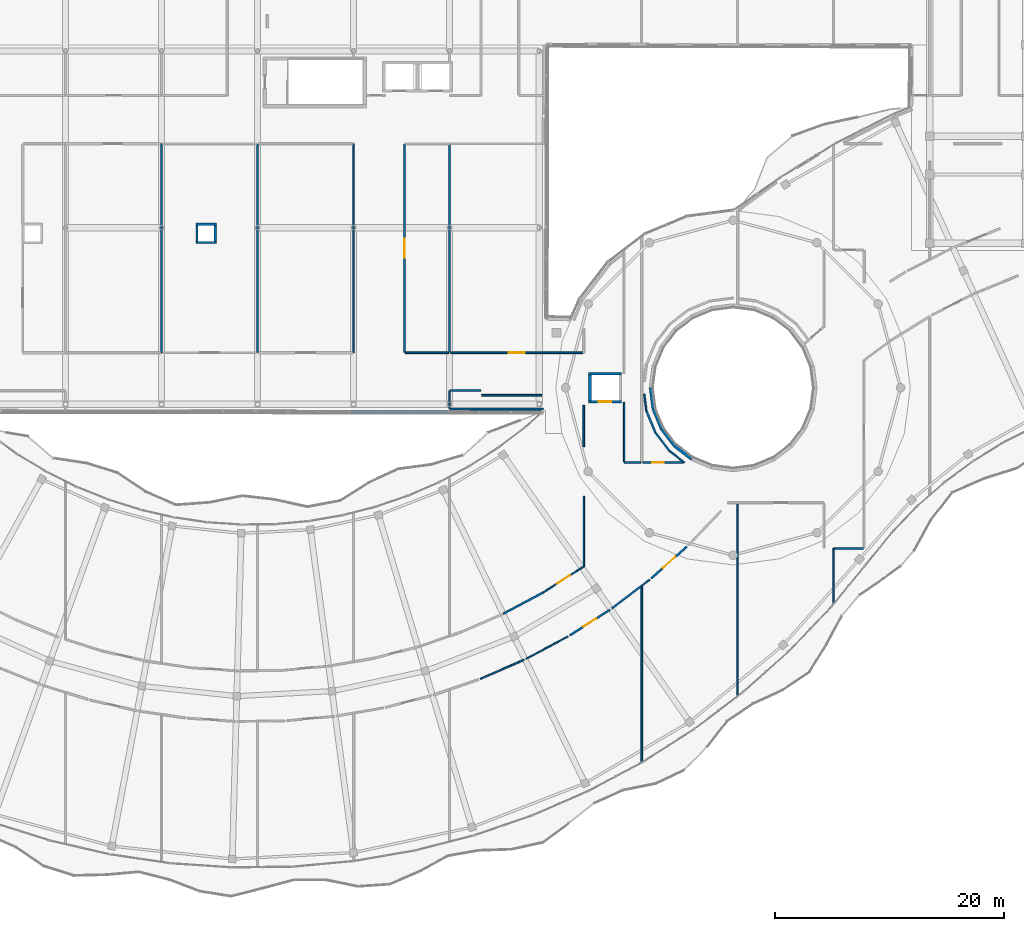
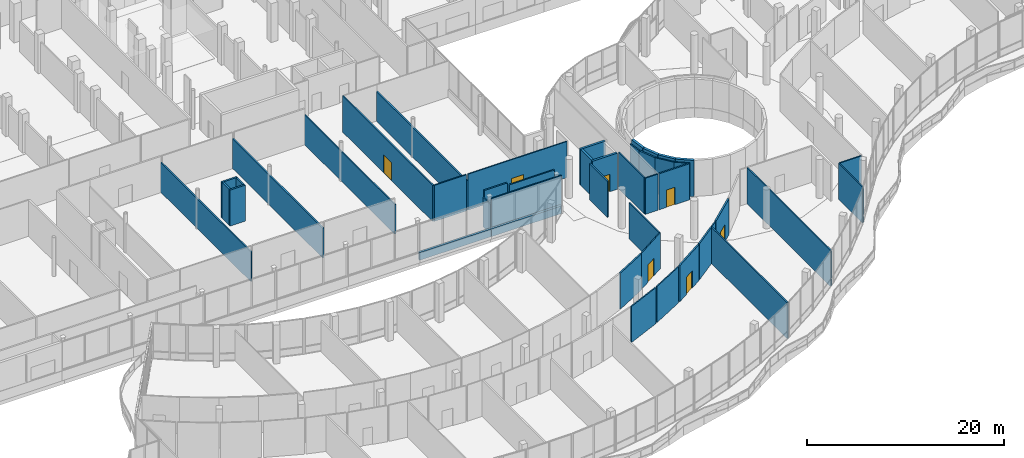
# One storey, part 131 of 155: 45 walls, 7 doors, 7 openings.
"""IFC4 building model written with IfcOpenShell, lengths in metres."""

from ifc_helpers import new_model, si_unit, direction, frame, frame_2d, origin, place, context, subcontext, project, spatial, rectangle, extrude, material, layer, layer_set, type_object, element, fill, save


model = new_model("IFC4")

# Units and contexts
model_context = context("Model", 3, precision=1e-05, world=origin(), true_north=direction((0.0, 1.0)))
body_context = subcontext(model_context, "Body", "Model", "MODEL_VIEW")
ifc_project = project(units=[si_unit("LENGTHUNIT", "METRE"), si_unit("AREAUNIT", "SQUARE_METRE"), si_unit("VOLUMEUNIT", "CUBIC_METRE"), si_unit("PLANEANGLEUNIT", "RADIAN"), si_unit("MASSUNIT", "GRAM", prefix="KILO")], contexts=[model_context])

# Site, building, storey
site_placement = place(None, origin())
site = spatial("IfcSite", under=ifc_project, at=site_placement, CompositionType="ELEMENT")
building_placement = place(site_placement, origin())
building = spatial("IfcBuilding", under=site, at=building_placement, Name="Selatvlak General Hospital", CompositionType="ELEMENT")
storey_placement = place(building_placement, frame((0.0, 0.0, 10.199951171875)))
storey = spatial("IfcBuildingStorey", under=building, at=storey_placement, Name="L02", CompositionType="ELEMENT", Elevation=10.199951171875)

# Walls
ifc_material_1 = material(Name="Precast concrete C40/50 - white fair-faced", Category="concrete")
ifc_layer_1 = layer(ifc_material_1, 0.300048828125, Name="Precast concrete C40/50 - white fair-faced", Category="concrete")
ifc_layer_set_1 = layer_set([ifc_layer_1], Name="Precast concrete C40/50 - white fair-faced")
wall_type_1 = type_object("IfcWallType", Name="WALL-EW-01", PredefinedType="SOLIDWALL", material=ifc_layer_set_1)
wall_1_placement = place(storey_placement, frame((90.801025390625, 54.008056640625, 0.0), z_axis=(0.0, 0.0, 1.0), x_axis=(0.129294741965, -0.991606206969, 0.0)))
element("IfcWall", 1, at=wall_1_placement, inside=storey, type_object=wall_type_1, Name="L02 exterior wall 0342", PredefinedType="SOLIDWALL", context=body_context, shape_type="SweptSolid", body=[
    extrude(rectangle(XDim=1.87890625, YDim=0.300048828125, at=frame_2d((0.939453125, 0.0))), origin(), (0.0, 0.0, 1.0), 4.4599609375),
])
wall_2_placement = place(storey_placement, frame((91.0439453125, 52.14501953125, 0.0), z_axis=(0.0, 0.0, 1.0), x_axis=(0.381820428435, -0.924236528401, 0.0)))
element("IfcWall", 2, at=wall_2_placement, inside=storey, type_object=wall_type_1, Name="L02 exterior wall 0343", PredefinedType="SOLIDWALL", context=body_context, shape_type="SweptSolid", body=[
    extrude(rectangle(XDim=1.880615234375, YDim=0.300048828125, at=frame_2d((0.9404296875, 0.0))), origin(), (0.0, 0.0, 1.0), 4.4599609375),
])
wall_3_placement = place(storey_placement, frame((91.761962890625, 50.406982421875, 0.0), z_axis=(0.0, 0.0, 1.0), x_axis=(0.607850341861, -0.79405161161, 0.0)))
element("IfcWall", 3, at=wall_3_placement, inside=storey, type_object=wall_type_1, Name="L02 exterior wall 0344", PredefinedType="SOLIDWALL", context=body_context, shape_type="SweptSolid", body=[
    extrude(rectangle(XDim=1.87890625, YDim=0.300048828125, at=frame_2d((0.939453125, 0.0))), origin(), (0.0, 0.0, 1.0), 4.4599609375),
])
wall_4_placement = place(storey_placement, frame((92.904052734375, 48.9150390625, 0.0), z_axis=(0.0, 0.0, 1.0), x_axis=(0.792913688324, -0.609333966613, 0.0)))
element("IfcWall", 4, at=wall_4_placement, inside=storey, type_object=wall_type_1, Name="L02 exterior wall 0345", PredefinedType="SOLIDWALL", context=body_context, shape_type="SweptSolid", body=[
    extrude(rectangle(XDim=1.879150390625, YDim=0.300048828125, at=frame_2d((0.939453125, 0.0))), origin(), (0.0, 0.0, 1.0), 4.4599609375),
])
ifc_material_2 = material(Name="Precast concrete C40/50 - white Bauhaus spandrel", Category="concrete")
ifc_layer_2 = layer(ifc_material_2, 0.280029296875, Name="Precast concrete C40/50 - white Bauhaus spandrel", Category="concrete")
ifc_layer_set_2 = layer_set([ifc_layer_2], Name="Precast concrete C40/50 - white Bauhaus spandrel")
wall_type_2 = type_object("IfcWallType", Name="WALL-EW-02", PredefinedType="SOLIDWALL", material=ifc_layer_set_2)
wall_5_placement = place(storey_placement, frame((81.201904296875, 51.89501953125, 0.0), z_axis=(0.0, 0.0, 1.0), x_axis=(-0.999998358775, 0.001811752647, 0.0)))
element("IfcWall", 5, at=wall_5_placement, inside=storey, type_object=wall_type_2, Name="L02 Bauhaus spandrel sill wall 0316", PredefinedType="SOLIDWALL", context=body_context, shape_type="SweptSolid", body=[
    extrude(rectangle(XDim=8.219970703125, YDim=0.280029296875, at=frame_2d((4.10986328125, 0.0))), origin(), (0.0, 0.0, 1.0), 0.93994140625),
])
wall_6_placement = place(storey_placement, frame((72.97802734375, 51.909912109375, 0.0), z_axis=(0.0, 0.0, 1.0), x_axis=(-0.999998360026, 0.001811062053, 0.0)))
element("IfcWall", 6, at=wall_6_placement, inside=storey, type_object=wall_type_2, Name="L02 Bauhaus spandrel sill wall 0317", PredefinedType="SOLIDWALL", context=body_context, shape_type="SweptSolid", body=[
    extrude(rectangle(XDim=8.35791015625, YDim=0.280029296875, at=frame_2d((4.178955078125, 0.0))), origin(), (0.0, 0.0, 1.0), 0.93994140625),
])
ifc_material_3 = material(Name="Concrete C40/50", Category="concrete")
ifc_layer_3 = layer(ifc_material_3, 0.199951171875, Name="Concrete C40/50", Category="concrete")
ifc_layer_set_3 = layer_set([ifc_layer_3], Name="Concrete C40/50")
wall_type_3 = type_object("IfcWallType", Name="WALL-IW-02", PredefinedType="SOLIDWALL", material=ifc_layer_set_3)
wall_7_placement = place(storey_placement, frame((51.0, 66.699951171875, 0.0), z_axis=(0.0, 0.0, 1.0), x_axis=(1.0, 0.0, 0.0)))
element("IfcWall", 7, at=wall_7_placement, inside=storey, type_object=wall_type_3, Name="Service riser 3 shaft wall L02 S", PredefinedType="SOLIDWALL", context=body_context, shape_type="SweptSolid", body=[
    extrude(rectangle(XDim=1.800048828125, YDim=0.199951171875, at=frame_2d((0.89990234375, 0.0))), origin(), (0.0, 0.0, 1.0), 4.4599609375),
])
wall_8_placement = place(storey_placement, frame((52.699951171875, 66.800048828125, 0.0), z_axis=(0.0, 0.0, 1.0), x_axis=(0.0, 1.0, 0.0)))
element("IfcWall", 8, at=wall_8_placement, inside=storey, type_object=wall_type_3, Name="Service riser 3 shaft wall L02 E", PredefinedType="SOLIDWALL", context=body_context, shape_type="SweptSolid", body=[
    extrude(rectangle(XDim=1.39990234375, YDim=0.199951171875, at=frame_2d((0.699951171875, 0.0))), origin(), (0.0, 0.0, 1.0), 4.4599609375),
])
wall_9_placement = place(storey_placement, frame((52.800048828125, 68.300048828125, 0.0), z_axis=(0.0, 0.0, 1.0), x_axis=(-1.0, 0.0, 0.0)))
element("IfcWall", 9, at=wall_9_placement, inside=storey, type_object=wall_type_3, Name="Service riser 3 shaft wall L02 N", PredefinedType="SOLIDWALL", context=body_context, shape_type="SweptSolid", body=[
    extrude(rectangle(XDim=1.800048828125, YDim=0.199951171875, at=frame_2d((0.89990234375, 0.0))), origin(), (0.0, 0.0, 1.0), 4.4599609375),
])
wall_10_placement = place(storey_placement, frame((51.10009765625, 68.199951171875, 0.0), z_axis=(0.0, 0.0, 1.0), x_axis=(0.0, -1.0, 0.0)))
element("IfcWall", 10, at=wall_10_placement, inside=storey, type_object=wall_type_3, Name="Service riser 3 shaft wall L02 W", PredefinedType="SOLIDWALL", context=body_context, shape_type="SweptSolid", body=[
    extrude(rectangle(XDim=1.39990234375, YDim=0.199951171875, at=frame_2d((0.699951171875, 0.0))), origin(), (0.0, 0.0, 1.0), 4.4599609375),
])
ifc_material_4 = material(Name="Acoustic gypsum stud partition")
ifc_layer_4 = layer(ifc_material_4, 0.179931640625, Name="Acoustic gypsum stud partition")
ifc_layer_set_4 = layer_set([ifc_layer_4], Name="Acoustic gypsum stud partition")
wall_type_4 = type_object("IfcWallType", Name="WALL-PT-01", PredefinedType="PARTITIONING", material=ifc_layer_set_4)
wall_11_placement = place(storey_placement, frame((56.39990234375, 75.340087890625, 0.0), z_axis=(0.0, 0.0, 1.0), x_axis=(0.0, -1.0, 0.0)))
element("IfcWall", 11, at=wall_11_placement, inside=storey, type_object=wall_type_4, Name="L02 clinical partition PT-L02-1095", PredefinedType="PARTITIONING", context=body_context, shape_type="SweptSolid", body=[
    extrude(rectangle(XDim=18.280029296875, YDim=0.179931640625, at=frame_2d((9.14013671875, 0.0))), origin(), (0.0, 0.0, 1.0), 3.6650390625),
])
wall_12_placement = place(storey_placement, frame((73.199951171875, 75.27587890625, 0.0), z_axis=(0.0, 0.0, 1.0), x_axis=(0.0, -1.0, 0.0)))
element("IfcWall", 12, at=wall_12_placement, inside=storey, type_object=wall_type_4, Name="L02 clinical partition PT-L02-1119", PredefinedType="PARTITIONING", context=body_context, shape_type="SweptSolid", body=[
    extrude(rectangle(XDim=18.2158203125, YDim=0.179931640625, at=frame_2d((9.10791015625, 0.0))), origin(), (0.0, 0.0, 1.0), 3.6650390625),
])

# Wall, opening, door
wall_13_placement = place(storey_placement, frame((83.716064453125, 32.3330078125, 0.0), z_axis=(0.0, 0.0, 1.0), x_axis=(0.842288395676, 0.539027140792, 0.0)))
wall_13 = element("IfcWall", 13, at=wall_13_placement, inside=storey, type_object=wall_type_4, Name="L02 clinical partition PT-L02-1125", PredefinedType="PARTITIONING", context=body_context, shape_type="SweptSolid", body=[
    extrude(rectangle(XDim=4.174072265625, YDim=0.179931640625, at=frame_2d((2.0869140625, 0.0))), origin(), (0.0, 0.0, 1.0), 4.4599609375),
])
opening_1_placement = place(wall_13_placement, frame((1.43701171875, 0.0, 0.0)))
opening_1 = element("IfcOpeningElement", 14, at=opening_1_placement, cuts=wall_13, Name="Opening D-09", PredefinedType="OPENING", context=body_context, shape_type="SweptSolid", body=[
    extrude(rectangle(XDim=1.300048828125, YDim=2.14990234375, at=frame_2d((0.64990234375, 1.074951171875))), frame((0.0, 0.099853515625, 0.0), z_axis=(0.0, -1.0, 0.0), x_axis=(1.0, 0.0, 0.0)), (0.0, 0.0, 1.0), 0.199951171875),
])
ifc_material_5 = material(Name="Outpatient procedure door")
door_type_1 = type_object("IfcDoorType", Name="DOOR-D-09", OperationType="NOTDEFINED", PredefinedType="DOOR", material=ifc_material_5)
door_1_placement = place(opening_1_placement, origin())
door_1 = element("IfcDoor", 15, at=door_1_placement, inside=storey, type_object=door_type_1, Name="L02 Physiotherapy Rehabilitation Gymnasium 19 door", OperationType="SINGLE_SWING_LEFT", OverallHeight=2.14990234375, OverallWidth=1.300048828125, PredefinedType="DOOR", context=body_context, shape_type="SweptSolid", body=[
    extrude(rectangle(XDim=1.300048828125, YDim=2.14990234375, at=frame_2d((0.64990234375, 1.074951171875))), frame((0.0, 0.02490234375, 0.0), z_axis=(0.0, -1.0, 0.0), x_axis=(1.0, 0.0, 0.0)), (0.0, 0.0, 1.0), 0.050048828125),
])
fill(opening_1, door_1)

# Walls
wall_14_placement = place(storey_placement, frame((73.256103515625, 53.739990234375, 0.0), z_axis=(0.0, 0.0, 1.0), x_axis=(1.0, 0.0, 0.0)))
element("IfcWall", 16, at=wall_14_placement, inside=storey, type_object=wall_type_4, Name="L02 clinical partition PT-L02-1130", PredefinedType="PARTITIONING", context=body_context, shape_type="SweptSolid", body=[
    extrude(rectangle(XDim=2.683837890625, YDim=0.179931640625, at=frame_2d((1.341796875, 0.0))), origin(), (0.0, 0.0, 1.0), 4.4599609375),
])
wall_15_placement = place(storey_placement, frame((81.407958984375, 36.10302734375, 0.0), z_axis=(0.0, 0.0, 1.0), x_axis=(-0.882361389747, -0.470572393882, 0.0)))
element("IfcWall", 17, at=wall_15_placement, inside=storey, type_object=wall_type_4, Name="L02 clinical partition PT-L02-1135", PredefinedType="PARTITIONING", context=body_context, shape_type="SweptSolid", body=[
    extrude(rectangle(XDim=3.99951171875, YDim=0.179931640625, at=frame_2d((1.999755859375, 0.0))), origin(), (0.0, 0.0, 1.0), 4.4599609375),
])

# Wall, opening, door
wall_16_placement = place(storey_placement, frame((90.8369140625, 37.318115234375, 0.0), z_axis=(0.0, 0.0, 1.0), x_axis=(0.746227117169, 0.66569143723, 0.0)))
wall_16 = element("IfcWall", 18, at=wall_16_placement, inside=storey, type_object=wall_type_4, Name="L02 clinical partition PT-L02-1150", PredefinedType="PARTITIONING", context=body_context, shape_type="SweptSolid", body=[
    extrude(rectangle(XDim=4.17431640625, YDim=0.179931640625, at=frame_2d((2.087158203125, 0.0))), origin(), (0.0, 0.0, 1.0), 4.4599609375),
])
opening_2_placement = place(wall_16_placement, frame((1.362060546875, 0.0, 0.0)))
opening_2 = element("IfcOpeningElement", 19, at=opening_2_placement, cuts=wall_16, Name="Opening D-12", PredefinedType="OPENING", context=body_context, shape_type="SweptSolid", body=[
    extrude(rectangle(XDim=1.449951171875, YDim=2.14990234375, at=frame_2d((0.72509765625, 1.074951171875))), frame((0.0, 0.099853515625, 0.0), z_axis=(0.0, -1.0, 0.0), x_axis=(1.0, 0.0, 0.0)), (0.0, 0.0, 1.0), 0.199951171875),
])
ifc_material_6 = material(Name="Isolation anteroom door")
door_type_2 = type_object("IfcDoorType", Name="DOOR-D-12", OperationType="NOTDEFINED", PredefinedType="DOOR", material=ifc_material_6)
door_2_placement = place(opening_2_placement, origin())
door_2 = element("IfcDoor", 20, at=door_2_placement, inside=storey, type_object=door_type_2, Name="L02 Physiotherapy Rehabilitation Gymnasium 22 door", OperationType="SINGLE_SWING_RIGHT", OverallHeight=2.14990234375, OverallWidth=1.449951171875, PredefinedType="DOOR", context=body_context, shape_type="SweptSolid", body=[
    extrude(rectangle(XDim=1.449951171875, YDim=2.14990234375, at=frame_2d((0.72509765625, 1.074951171875))), frame((0.0, 0.02490234375, 0.0), z_axis=(0.0, -1.0, 0.0), x_axis=(1.0, 0.0, 0.0)), (0.0, 0.0, 1.0), 0.050048828125),
])
fill(opening_2, door_2)

# Wall
wall_17_placement = place(storey_placement, frame((90.4169921875, 51.968017578125, 0.0), z_axis=(0.0, 0.0, 1.0), x_axis=(0.383007584532, -0.923745197655, 0.0)))
element("IfcWall", 21, at=wall_17_placement, inside=storey, type_object=wall_type_4, Name="L02 clinical partition PT-L02-1161", PredefinedType="PARTITIONING", context=body_context, shape_type="SweptSolid", body=[
    extrude(rectangle(XDim=2.04931640625, YDim=0.179931640625, at=frame_2d((1.024658203125, 0.0))), origin(), (0.0, 0.0, 1.0), 4.4599609375),
])

# Wall, opening, door
wall_18_placement = place(storey_placement, frame((93.634033203125, 47.4599609375, 0.0), z_axis=(0.0, 0.0, 1.0), x_axis=(-1.0, 0.0, 0.0)))
wall_18 = element("IfcWall", 22, at=wall_18_placement, inside=storey, type_object=wall_type_4, Name="L02 clinical partition PT-L02-1164", PredefinedType="PARTITIONING", context=body_context, shape_type="SweptSolid", body=[
    extrude(rectangle(XDim=3.554931640625, YDim=0.179931640625, at=frame_2d((1.77734375, 0.0))), origin(), (0.0, 0.0, 1.0), 4.4599609375),
])
opening_3_placement = place(wall_18_placement, frame((1.7041015625, 0.0, 0.0)))
opening_3 = element("IfcOpeningElement", 23, at=opening_3_placement, cuts=wall_18, Name="Opening D-21", PredefinedType="OPENING", context=body_context, shape_type="SweptSolid", body=[
    extrude(rectangle(XDim=1.0, YDim=2.14990234375, at=frame_2d((0.5, 1.074951171875))), frame((0.0, 0.099853515625, 0.0), z_axis=(0.0, -1.0, 0.0), x_axis=(1.0, 0.0, 0.0)), (0.0, 0.0, 1.0), 0.199951171875),
])
ifc_material_7 = material(Name="Laboratory fire door")
door_type_3 = type_object("IfcDoorType", Name="DOOR-D-21", OperationType="NOTDEFINED", PredefinedType="DOOR", material=ifc_material_7)
door_3_placement = place(opening_3_placement, origin())
door_3 = element("IfcDoor", 24, at=door_3_placement, inside=storey, type_object=door_type_3, Name="L02 Operating Theatre 23 door", OperationType="SINGLE_SWING_LEFT", OverallHeight=2.14990234375, OverallWidth=1.0, PredefinedType="DOOR", context=body_context, shape_type="SweptSolid", body=[
    extrude(rectangle(XDim=1.0, YDim=2.14990234375, at=frame_2d((0.5, 1.074951171875))), frame((0.0, 0.02490234375, 0.0), z_axis=(0.0, -1.0, 0.0), x_axis=(1.0, 0.0, 0.0)), (0.0, 0.0, 1.0), 0.050048828125),
])
fill(opening_3, door_3)

# Wall
ifc_layer_5 = layer(ifc_material_4, 0.1650390625, Name="Acoustic gypsum stud partition")
ifc_layer_set_5 = layer_set([ifc_layer_5], Name="Acoustic gypsum stud partition")
wall_type_5 = type_object("IfcWallType", Name="WALL-PT-02", PredefinedType="PARTITIONING", material=ifc_layer_set_5)
wall_19_placement = place(storey_placement, frame((48.0, 75.340087890625, 0.0), z_axis=(0.0, 0.0, 1.0), x_axis=(0.0, -1.0, 0.0)))
element("IfcWall", 25, at=wall_19_placement, inside=storey, type_object=wall_type_5, Name="L02 clinical partition PT-L02-1084", PredefinedType="PARTITIONING", context=body_context, shape_type="SweptSolid", body=[
    extrude(rectangle(XDim=18.280029296875, YDim=0.1650390625, at=frame_2d((9.14013671875, 0.0))), origin(), (0.0, 0.0, 1.0), 3.6650390625),
])

# Wall, opening, door
wall_20_placement = place(storey_placement, frame((69.260009765625, 57.06005859375, 0.0), z_axis=(0.0, 0.0, 1.0), x_axis=(0.0, 1.0, 0.0)))
wall_20 = element("IfcWall", 26, at=wall_20_placement, inside=storey, type_object=wall_type_5, Name="L02 clinical partition PT-L02-1117", PredefinedType="PARTITIONING", context=body_context, shape_type="SweptSolid", body=[
    extrude(rectangle(XDim=18.280029296875, YDim=0.1650390625, at=frame_2d((9.14013671875, 0.0))), origin(), (0.0, 0.0, 1.0), 4.4599609375),
])
opening_4_placement = place(wall_20_placement, frame((8.31494140625, 0.0, 0.0)))
opening_4 = element("IfcOpeningElement", 27, at=opening_4_placement, cuts=wall_20, Name="Opening D-19", PredefinedType="OPENING", context=body_context, shape_type="SweptSolid", body=[
    extrude(rectangle(XDim=1.64990234375, YDim=2.199951171875, at=frame_2d((0.824951171875, 1.10009765625))), frame((0.0, 0.092529296875, 0.0), z_axis=(0.0, -1.0, 0.0), x_axis=(1.0, 0.0, 0.0)), (0.0, 0.0, 1.0), 0.18505859375),
])
ifc_material_8 = material(Name="Hermetic operating theatre sliding door")
door_type_4 = type_object("IfcDoorType", Name="DOOR-D-19", OperationType="DOUBLE_DOOR_SLIDING", PredefinedType="DOOR", material=ifc_material_8)
door_4_placement = place(opening_4_placement, origin())
door_4 = element("IfcDoor", 28, at=door_4_placement, inside=storey, type_object=door_type_4, Name="L02 Operating Theatre 17 door", OperationType="DOUBLE_DOOR_SLIDING", OverallHeight=2.199951171875, OverallWidth=1.64990234375, PredefinedType="DOOR", context=body_context, shape_type="SweptSolid", body=[
    extrude(rectangle(XDim=1.64990234375, YDim=2.199951171875, at=frame_2d((0.824951171875, 1.10009765625))), frame((0.0, 0.02490234375, 0.0), z_axis=(0.0, -1.0, 0.0), x_axis=(1.0, 0.0, 0.0)), (0.0, 0.0, 1.0), 0.050048828125),
])
fill(opening_4, door_4)

# Walls
wall_21_placement = place(storey_placement, frame((73.114013671875, 57.06005859375, 0.0), z_axis=(0.0, 0.0, 1.0), x_axis=(-1.0, 0.0, 0.0)))
element("IfcWall", 29, at=wall_21_placement, inside=storey, type_object=wall_type_5, Name="L02 clinical partition PT-L02-1120", PredefinedType="PARTITIONING", context=body_context, shape_type="SweptSolid", body=[
    extrude(rectangle(XDim=3.77490234375, YDim=0.1650390625, at=frame_2d((1.887451171875, 0.0))), origin(), (0.0, 0.0, 1.0), 4.4599609375),
])
wall_22_placement = place(storey_placement, frame((87.376953125, 34.68310546875, 0.0), z_axis=(0.0, 0.0, 1.0), x_axis=(0.796534911727, 0.604592535846, 0.0)))
element("IfcWall", 30, at=wall_22_placement, inside=storey, type_object=wall_type_5, Name="L02 clinical partition PT-L02-1126", PredefinedType="PARTITIONING", context=body_context, shape_type="SweptSolid", body=[
    extrude(rectangle(XDim=3.29296875, YDim=0.1650390625, at=frame_2d((1.646484375, 0.0))), origin(), (0.0, 0.0, 1.0), 4.4599609375),
])
wall_23_placement = place(storey_placement, frame((76.0, 53.340087890625, 0.0), z_axis=(0.0, 0.0, 1.0), x_axis=(1.0, 0.0, 0.0)))
element("IfcWall", 31, at=wall_23_placement, inside=storey, type_object=wall_type_5, Name="L02 clinical partition PT-L02-1131", PredefinedType="PARTITIONING", context=body_context, shape_type="SweptSolid", body=[
    extrude(rectangle(XDim=5.241943359375, YDim=0.1650390625, at=frame_2d((2.62109375, 0.0))), origin(), (0.0, 0.0, 1.0), 4.4599609375),
])
wall_24_placement = place(storey_placement, frame((91.201904296875, 50.074951171875, 0.0), z_axis=(0.0, 0.0, 1.0), x_axis=(0.608581607729, -0.793491289639, 0.0)))
element("IfcWall", 32, at=wall_24_placement, inside=storey, type_object=wall_type_5, Name="L02 clinical partition PT-L02-1162", PredefinedType="PARTITIONING", context=body_context, shape_type="SweptSolid", body=[
    extrude(rectangle(XDim=2.049072265625, YDim=0.1650390625, at=frame_2d((1.0244140625, 0.0))), origin(), (0.0, 0.0, 1.0), 4.4599609375),
])
ifc_layer_6 = layer(ifc_material_4, 0.14990234375, Name="Acoustic gypsum stud partition")
ifc_layer_set_6 = layer_set([ifc_layer_6], Name="Acoustic gypsum stud partition")
wall_type_6 = type_object("IfcWallType", Name="WALL-PT-03", PredefinedType="PARTITIONING", material=ifc_layer_set_6)
wall_25_placement = place(storey_placement, frame((90.0, 36.574951171875, 0.0), z_axis=(0.0, 0.0, 1.0), x_axis=(0.0, -1.0, 0.0)))
element("IfcWall", 33, at=wall_25_placement, inside=storey, type_object=wall_type_6, Name="L02 clinical partition PT-L02-1127", PredefinedType="PARTITIONING", context=body_context, shape_type="SweptSolid", body=[
    extrude(rectangle(XDim=15.368896484375, YDim=0.14990234375, at=frame_2d((7.6845703125, 0.0))), origin(), (0.0, 0.0, 1.0), 4.4599609375),
])
wall_26_placement = place(storey_placement, frame((84.93994140625, 52.467041015625, 0.0), z_axis=(0.0, 0.0, 1.0), x_axis=(0.0, -1.0, 0.0)))
element("IfcWall", 34, at=wall_26_placement, inside=storey, type_object=wall_type_6, Name="L02 clinical partition PT-L02-1132", PredefinedType="PARTITIONING", context=body_context, shape_type="SweptSolid", body=[
    extrude(rectangle(XDim=3.615966796875, YDim=0.14990234375, at=frame_2d((1.80810546875, 0.0))), origin(), (0.0, 0.0, 1.0), 4.4599609375),
])
wall_27_placement = place(storey_placement, frame((89.9208984375, 47.4599609375, 0.0), z_axis=(0.0, 0.0, 1.0), x_axis=(-1.0, 0.0, 0.0)))
element("IfcWall", 35, at=wall_27_placement, inside=storey, type_object=wall_type_6, Name="L02 clinical partition PT-L02-1147", PredefinedType="PARTITIONING", context=body_context, shape_type="SweptSolid", body=[
    extrude(rectangle(XDim=1.4609375, YDim=0.14990234375, at=frame_2d((0.73046875, 0.0))), origin(), (0.0, 0.0, 1.0), 4.4599609375),
])
wall_28_placement = place(storey_placement, frame((106.864013671875, 39.93994140625, 0.0), z_axis=(0.0, 0.0, 1.0), x_axis=(1.0, 0.0, 0.0)))
element("IfcWall", 36, at=wall_28_placement, inside=storey, type_object=wall_type_6, Name="L02 clinical partition PT-L02-1177", PredefinedType="PARTITIONING", context=body_context, shape_type="SweptSolid", body=[
    extrude(rectangle(XDim=2.535888671875, YDim=0.14990234375, at=frame_2d((1.26806640625, 0.0))), origin(), (0.0, 0.0, 1.0), 4.4599609375),
])
ifc_material_9 = material(Name="Moisture-resistant clinical partition")
ifc_layer_7 = layer(ifc_material_9, 0.135009765625, Name="Moisture-resistant clinical partition")
ifc_layer_set_7 = layer_set([ifc_layer_7], Name="Moisture-resistant clinical partition")
wall_type_7 = type_object("IfcWallType", Name="WALL-PT-04", PredefinedType="PARTITIONING", material=ifc_layer_set_7)
wall_29_placement = place(storey_placement, frame((64.800048828125, 75.340087890625, 0.0), z_axis=(0.0, 0.0, 1.0), x_axis=(0.0, -1.0, 0.0)))
element("IfcWall", 37, at=wall_29_placement, inside=storey, type_object=wall_type_7, Name="L02 clinical partition PT-L02-1106", PredefinedType="PARTITIONING", context=body_context, shape_type="SweptSolid", body=[
    extrude(rectangle(XDim=18.280029296875, YDim=0.135009765625, at=frame_2d((9.14013671875, 0.0))), origin(), (0.0, 0.0, 1.0), 3.6650390625),
])
wall_30_placement = place(storey_placement, frame((75.89697265625, 28.5380859375, 0.0), z_axis=(0.0, 0.0, 1.0), x_axis=(0.916891425258, 0.399136711276, 0.0)))
element("IfcWall", 38, at=wall_30_placement, inside=storey, type_object=wall_type_7, Name="L02 clinical partition PT-L02-1123", PredefinedType="PARTITIONING", context=body_context, shape_type="SweptSolid", body=[
    extrude(rectangle(XDim=4.174072265625, YDim=0.135009765625, at=frame_2d((2.0869140625, 0.0))), origin(), (0.0, 0.0, 1.0), 4.4599609375),
])
wall_31_placement = place(storey_placement, frame((81.39404296875, 52.139892578125, 0.0), z_axis=(0.0, 0.0, 1.0), x_axis=(-1.0, 0.0, 0.0)))
element("IfcWall", 39, at=wall_31_placement, inside=storey, type_object=wall_type_7, Name="L02 clinical partition PT-L02-1128", PredefinedType="PARTITIONING", context=body_context, shape_type="SweptSolid", body=[
    extrude(rectangle(XDim=8.194091796875, YDim=0.135009765625, at=frame_2d((4.09716796875, 0.0))), origin(), (0.0, 0.0, 1.0), 4.4599609375),
])
wall_32_placement = place(storey_placement, frame((84.93994140625, 44.4990234375, 0.0), z_axis=(0.0, 0.0, 1.0), x_axis=(0.0, -1.0, 0.0)))
element("IfcWall", 40, at=wall_32_placement, inside=storey, type_object=wall_type_7, Name="L02 clinical partition PT-L02-1133", PredefinedType="PARTITIONING", context=body_context, shape_type="SweptSolid", body=[
    extrude(rectangle(XDim=6.115966796875, YDim=0.135009765625, at=frame_2d((3.05810546875, 0.0))), origin(), (0.0, 0.0, 1.0), 4.4599609375),
])

# Wall, opening, door
wall_33_placement = place(storey_placement, frame((84.868896484375, 57.06005859375, 0.0), z_axis=(0.0, 0.0, 1.0), x_axis=(-1.0, 0.0, 0.0)))
wall_33 = element("IfcWall", 41, at=wall_33_placement, inside=storey, type_object=wall_type_7, Name="L02 clinical partition PT-L02-1143", PredefinedType="PARTITIONING", context=body_context, shape_type="SweptSolid", body=[
    extrude(rectangle(XDim=11.5830078125, YDim=0.135009765625, at=frame_2d((5.79150390625, 0.0))), origin(), (0.0, 0.0, 1.0), 4.4599609375),
])
opening_5_placement = place(wall_33_placement, frame((5.091064453125, 0.0, 0.0)))
opening_5 = element("IfcOpeningElement", 42, at=opening_5_placement, cuts=wall_33, Name="Opening D-11", PredefinedType="OPENING", context=body_context, shape_type="SweptSolid", body=[
    extrude(rectangle(XDim=1.39990234375, YDim=2.14990234375, at=frame_2d((0.699951171875, 1.074951171875))), frame((0.0, 0.077392578125, 0.0), z_axis=(0.0, -1.0, 0.0), x_axis=(1.0, 0.0, 0.0)), (0.0, 0.0, 1.0), 0.155029296875),
])
ifc_material_10 = material(Name="Inpatient suite bed door")
door_type_5 = type_object("IfcDoorType", Name="DOOR-D-11", OperationType="NOTDEFINED", PredefinedType="DOOR", material=ifc_material_10)
door_5_placement = place(opening_5_placement, origin())
door_5 = element("IfcDoor", 43, at=door_5_placement, inside=storey, type_object=door_type_5, Name="L02 Post-Anaesthesia Recovery Suite 21 door", OperationType="SINGLE_SWING_LEFT", OverallHeight=2.14990234375, OverallWidth=1.39990234375, PredefinedType="DOOR", context=body_context, shape_type="SweptSolid", body=[
    extrude(rectangle(XDim=1.39990234375, YDim=2.14990234375, at=frame_2d((0.699951171875, 1.074951171875))), frame((0.0, 0.02490234375, 0.0), z_axis=(0.0, -1.0, 0.0), x_axis=(1.0, 0.0, 0.0)), (0.0, 0.0, 1.0), 0.050048828125),
])
fill(opening_5, door_5)

# Walls
wall_34_placement = place(storey_placement, frame((88.4599609375, 47.531005859375, 0.0), z_axis=(0.0, 0.0, 1.0), x_axis=(0.0, 1.0, 0.0)))
element("IfcWall", 44, at=wall_34_placement, inside=storey, type_object=wall_type_7, Name="L02 clinical partition PT-L02-1148", PredefinedType="PARTITIONING", context=body_context, shape_type="SweptSolid", body=[
    extrude(rectangle(XDim=5.18896484375, YDim=0.135009765625, at=frame_2d((2.594482421875, 0.0))), origin(), (0.0, 0.0, 1.0), 4.4599609375),
])
wall_35_placement = place(storey_placement, frame((98.39990234375, 43.868896484375, 0.0), z_axis=(0.0, 0.0, 1.0), x_axis=(0.0, -1.0, 0.0)))
element("IfcWall", 45, at=wall_35_placement, inside=storey, type_object=wall_type_7, Name="L02 clinical partition PT-L02-1153", PredefinedType="PARTITIONING", context=body_context, shape_type="SweptSolid", body=[
    extrude(rectangle(XDim=16.846923828125, YDim=0.135009765625, at=frame_2d((8.42333984375, 0.0))), origin(), (0.0, 0.0, 1.0), 4.4599609375),
])
wall_36_placement = place(storey_placement, frame((90.221923828125, 53.447998046875, 0.0), z_axis=(0.0, 0.0, 1.0), x_axis=(0.130674502542, -0.991425324664, 0.0)))
element("IfcWall", 46, at=wall_36_placement, inside=storey, type_object=wall_type_7, Name="L02 clinical partition PT-L02-1160", PredefinedType="PARTITIONING", context=body_context, shape_type="SweptSolid", body=[
    extrude(rectangle(XDim=1.49267578125, YDim=0.135009765625, at=frame_2d((0.746337890625, 0.0))), origin(), (0.0, 0.0, 1.0), 4.4599609375),
])
wall_37_placement = place(storey_placement, frame((92.448974609375, 48.448974609375, 0.0), z_axis=(0.0, 0.0, 1.0), x_axis=(0.793388644719, -0.60871541662, 0.0)))
element("IfcWall", 47, at=wall_37_placement, inside=storey, type_object=wall_type_7, Name="L02 clinical partition PT-L02-1163", PredefinedType="PARTITIONING", context=body_context, shape_type="SweptSolid", body=[
    extrude(rectangle(XDim=1.624755859375, YDim=0.135009765625, at=frame_2d((0.8125, 0.0))), origin(), (0.0, 0.0, 1.0), 4.4599609375),
])
wall_38_placement = place(storey_placement, frame((106.800048828125, 39.93994140625, 0.0), z_axis=(0.0, 0.0, 1.0), x_axis=(0.0, -1.0, 0.0)))
element("IfcWall", 48, at=wall_38_placement, inside=storey, type_object=wall_type_7, Name="L02 clinical partition PT-L02-1168", PredefinedType="PARTITIONING", context=body_context, shape_type="SweptSolid", body=[
    extrude(rectangle(XDim=4.85400390625, YDim=0.135009765625, at=frame_2d((2.427001953125, 0.0))), origin(), (0.0, 0.0, 1.0), 4.4599609375),
])
ifc_layer_8 = layer(ifc_material_9, 0.1201171875, Name="Moisture-resistant clinical partition")
ifc_layer_set_8 = layer_set([ifc_layer_8], Name="Moisture-resistant clinical partition")
wall_type_8 = type_object("IfcWallType", Name="WALL-PT-05", PredefinedType="PARTITIONING", material=ifc_layer_set_8)
wall_39_placement = place(storey_placement, frame((79.882080078125, 30.280029296875, 0.0), z_axis=(0.0, 0.0, 1.0), x_axis=(0.882385323431, 0.470527513535, 0.0)))
element("IfcWall", 49, at=wall_39_placement, inside=storey, type_object=wall_type_8, Name="L02 clinical partition PT-L02-1124", PredefinedType="PARTITIONING", context=body_context, shape_type="SweptSolid", body=[
    extrude(rectangle(XDim=4.173828125, YDim=0.1201171875, at=frame_2d((2.0869140625, 0.0))), origin(), (0.0, 0.0, 1.0), 4.4599609375),
])
wall_40_placement = place(storey_placement, frame((73.199951171875, 52.202880859375, 0.0), z_axis=(0.0, 0.0, 1.0), x_axis=(0.0, 1.0, 0.0)))
element("IfcWall", 50, at=wall_40_placement, inside=storey, type_object=wall_type_8, Name="L02 clinical partition PT-L02-1129", PredefinedType="PARTITIONING", context=body_context, shape_type="SweptSolid", body=[
    extrude(rectangle(XDim=1.537109375, YDim=0.1201171875, at=frame_2d((0.7685546875, 0.0))), origin(), (0.0, 0.0, 1.0), 3.6650390625),
])

# Wall, opening, door
wall_41_placement = place(storey_placement, frame((84.969970703125, 38.383056640625, 0.0), z_axis=(0.0, 0.0, 1.0), x_axis=(-0.842234705141, -0.539111028877, 0.0)))
wall_41 = element("IfcWall", 51, at=wall_41_placement, inside=storey, type_object=wall_type_8, Name="L02 clinical partition PT-L02-1134", PredefinedType="PARTITIONING", context=body_context, shape_type="SweptSolid", body=[
    extrude(rectangle(XDim=4.229248046875, YDim=0.1201171875, at=frame_2d((2.11474609375, 0.0))), origin(), (0.0, 0.0, 1.0), 4.4599609375),
])
opening_6_placement = place(wall_41_placement, frame((1.465087890625, 0.0, 0.0)))
opening_6 = element("IfcOpeningElement", 52, at=opening_6_placement, cuts=wall_41, Name="Opening D-24", PredefinedType="OPENING", context=body_context, shape_type="SweptSolid", body=[
    extrude(rectangle(XDim=1.300048828125, YDim=2.14990234375, at=frame_2d((0.64990234375, 1.074951171875))), frame((0.0, 0.070068359375, 0.0), z_axis=(0.0, -1.0, 0.0), x_axis=(1.0, 0.0, 0.0)), (0.0, 0.0, 1.0), 0.14013671875),
])
ifc_material_11 = material(Name="Oncology bay door")
door_type_6 = type_object("IfcDoorType", Name="DOOR-D-24", OperationType="NOTDEFINED", PredefinedType="DOOR", material=ifc_material_11)
door_6_placement = place(opening_6_placement, origin())
door_6 = element("IfcDoor", 53, at=door_6_placement, inside=storey, type_object=door_type_6, Name="L02 Occupational Therapy Suite 20 door", OperationType="SINGLE_SWING_RIGHT", OverallHeight=2.14990234375, OverallWidth=1.300048828125, PredefinedType="DOOR", context=body_context, shape_type="SweptSolid", body=[
    extrude(rectangle(XDim=1.300048828125, YDim=2.14990234375, at=frame_2d((0.64990234375, 1.074951171875))), frame((0.0, 0.02490234375, 0.0), z_axis=(0.0, -1.0, 0.0), x_axis=(1.0, 0.0, 0.0)), (0.0, 0.0, 1.0), 0.050048828125),
])
fill(opening_6, door_6)

# Wall
wall_42_placement = place(storey_placement, frame((90.0, 36.674072265625, 0.0), z_axis=(0.0, 0.0, 1.0), x_axis=(0.796962746225, 0.60402846053, 0.0)))
element("IfcWall", 54, at=wall_42_placement, inside=storey, type_object=wall_type_8, Name="L02 clinical partition PT-L02-1149", PredefinedType="PARTITIONING", context=body_context, shape_type="SweptSolid", body=[
    extrude(rectangle(XDim=0.880615234375, YDim=0.1201171875, at=frame_2d((0.4404296875, 0.0))), origin(), (0.0, 0.0, 1.0), 4.4599609375),
])

# Wall, opening, door
ifc_layer_9 = layer(ifc_material_3, 0.25, Name="Concrete C40/50", Category="concrete")
ifc_layer_set_9 = layer_set([ifc_layer_9], Name="Concrete C40/50")
wall_type_9 = type_object("IfcWallType", Name="WALL-SW-03", PredefinedType="SHEAR", material=ifc_layer_set_9)
wall_43_placement = place(storey_placement, frame((85.35009765625, 52.77490234375, 0.0), z_axis=(0.0, 0.0, 1.0), x_axis=(1.0, 0.0, 0.0)))
wall_43 = element("IfcWall", 55, at=wall_43_placement, inside=storey, type_object=wall_type_9, Name="Lift LP-03 shaft wall L02 S", PredefinedType="SHEAR", context=body_context, shape_type="SweptSolid", body=[
    extrude(rectangle(XDim=2.89990234375, YDim=0.25, at=frame_2d((1.449951171875, 0.0))), origin(), (0.0, 0.0, 1.0), 4.4599609375),
])
opening_7_placement = place(wall_43_placement, frame((0.89990234375, 0.0, 0.0)))
opening_7 = element("IfcOpeningElement", 56, at=opening_7_placement, cuts=wall_43, Name="Opening LD-P1", PredefinedType="OPENING", context=body_context, shape_type="SweptSolid", body=[
    extrude(rectangle(XDim=1.10009765625, YDim=2.14990234375, at=frame_2d((0.550048828125, 1.074951171875))), frame((0.0, 0.135009765625, 0.0), z_axis=(0.0, -1.0, 0.0), x_axis=(1.0, 0.0, 0.0)), (0.0, 0.0, 1.0), 0.27001953125),
])
ifc_material_12 = material(Name="Stainless steel passenger lift landing door", Category="steel")
door_type_7 = type_object("IfcDoorType", Name="DOOR-LD-P1", OperationType="DOUBLE_DOOR_SLIDING", PredefinedType="DOOR", material=ifc_material_12)
door_7_placement = place(opening_7_placement, origin())
door_7 = element("IfcDoor", 57, at=door_7_placement, inside=storey, type_object=door_type_7, Name="Lift LP-03 sliding landing door on L02", OperationType="DOUBLE_DOOR_SLIDING", OverallHeight=2.14990234375, OverallWidth=1.10009765625, PredefinedType="DOOR", context=body_context, shape_type="SweptSolid", body=[
    extrude(rectangle(XDim=1.10009765625, YDim=2.14990234375, at=frame_2d((0.550048828125, 1.074951171875))), frame((0.0, 0.02490234375, 0.0), z_axis=(0.0, -1.0, 0.0), x_axis=(1.0, 0.0, 0.0)), (0.0, 0.0, 1.0), 0.050048828125),
])
fill(opening_7, door_7)

# Walls
wall_44_placement = place(storey_placement, frame((88.25, 55.22509765625, 0.0), z_axis=(0.0, 0.0, 1.0), x_axis=(-1.0, 0.0, 0.0)))
element("IfcWall", 58, at=wall_44_placement, inside=storey, type_object=wall_type_9, Name="Lift LP-03 shaft wall L02 N", PredefinedType="SHEAR", context=body_context, shape_type="SweptSolid", body=[
    extrude(rectangle(XDim=2.89990234375, YDim=0.25, at=frame_2d((1.449951171875, 0.0))), origin(), (0.0, 0.0, 1.0), 4.4599609375),
])
wall_45_placement = place(storey_placement, frame((85.47509765625, 55.10009765625, 0.0), z_axis=(0.0, 0.0, 1.0), x_axis=(0.0, -1.0, 0.0)))
element("IfcWall", 59, at=wall_45_placement, inside=storey, type_object=wall_type_9, Name="Lift LP-03 shaft wall L02 W", PredefinedType="SHEAR", context=body_context, shape_type="SweptSolid", body=[
    extrude(rectangle(XDim=2.2001953125, YDim=0.25, at=frame_2d((1.10009765625, 0.0))), origin(), (0.0, 0.0, 1.0), 4.4599609375),
])

save(model, "model.ifc")
